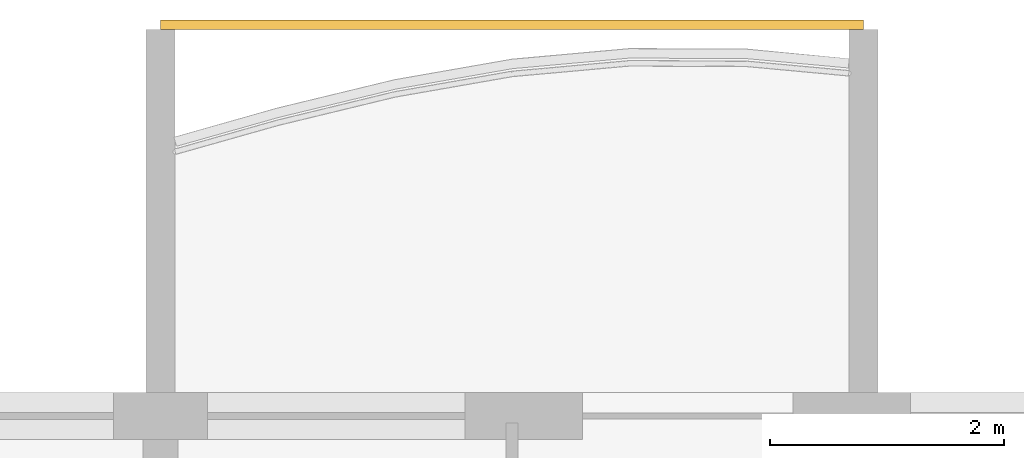
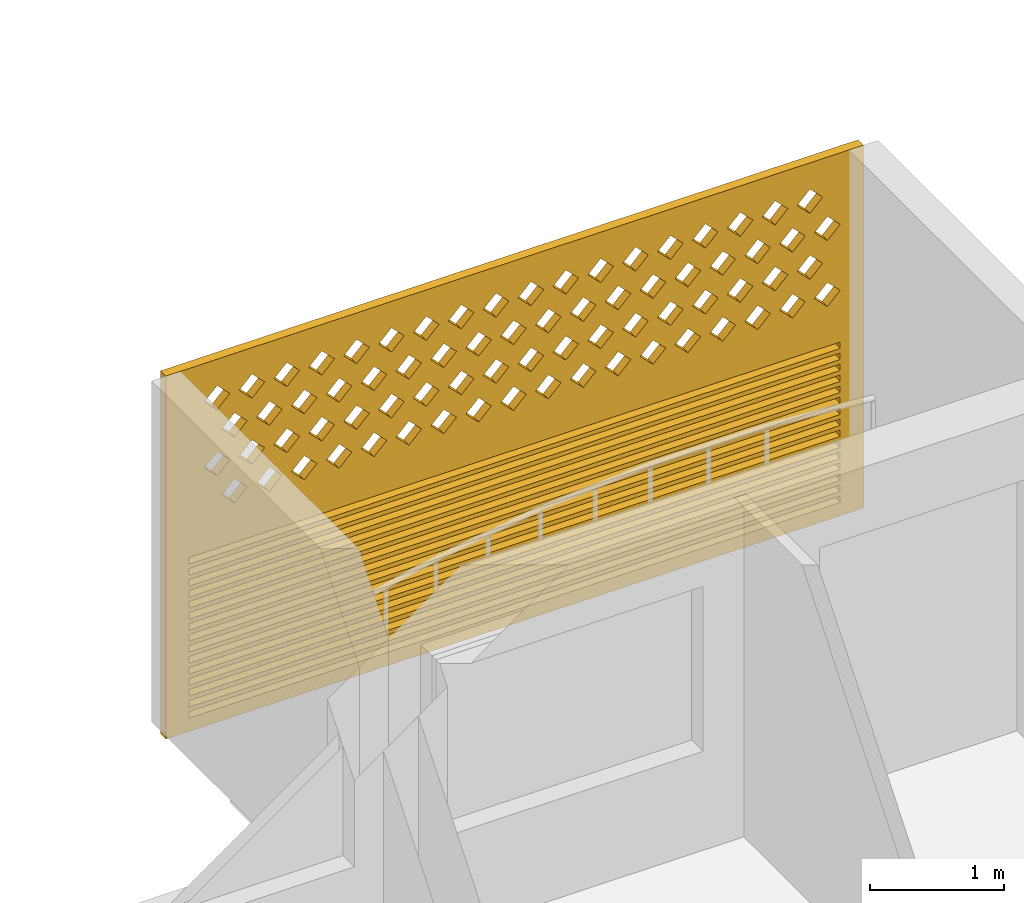
# One storey, part 28 of 32: 1 covering.
"""IFC4 building model written with IfcOpenShell, lengths in metres."""

from ifc_helpers import new_model, si_unit, direction, frame, origin, place, context, subcontext, project, spatial, polyline, outline, extrude, source, transform, mapped, material, material_profile, profile_set, type_object, element, save


model = new_model("IFC4")

# Units and contexts
model_context = context("Model", 3, precision=1e-05, world=origin(), true_north=direction((0.0, 1.0)))
body_context = subcontext(model_context, "Body", "Model", "MODEL_VIEW")
ifc_project = project(units=[si_unit("LENGTHUNIT", "METRE"), si_unit("AREAUNIT", "SQUARE_METRE"), si_unit("VOLUMEUNIT", "CUBIC_METRE"), si_unit("PLANEANGLEUNIT", "RADIAN"), si_unit("MASSUNIT", "GRAM", prefix="KILO")], contexts=[model_context])

# Site, building, storey
site_placement = place(None, origin())
site = spatial("IfcSite", under=ifc_project, at=site_placement, CompositionType="ELEMENT")
building_placement = place(site_placement, origin())
building = spatial("IfcBuilding", under=site, at=building_placement, Name="Poui Terraces", CompositionType="ELEMENT")
storey_placement = place(building_placement, frame((0.0, 0.0, 155.39990234375)))
storey = spatial("IfcBuildingStorey", under=building, at=storey_placement, Name="L43", CompositionType="ELEMENT", Elevation=155.39990234375)

# Covering
ifc_material = material(Name="Terracotta screen", Category="masonry")
ifc_material_profile = material_profile(ifc_material, outline(polyline([(-3.0, -1.64990234375), (3.0, -1.64990234375), (3.0, 1.64990234375), (-3.0, 1.64990234375), (-3.0, -1.64990234375)]), holes=[polyline([(-2.800048828125, 0.39990234375), (-2.68994140625, 0.2900390625), (-2.580078125, 0.39990234375), (-2.68994140625, 0.510009765625), (-2.800048828125, 0.39990234375)]), polyline([(-2.5, 0.39990234375), (-2.389892578125, 0.2900390625), (-2.280029296875, 0.39990234375), (-2.389892578125, 0.510009765625), (-2.5, 0.39990234375)]), polyline([(-2.199951171875, 0.39990234375), (-2.090087890625, 0.2900390625), (-1.97998046875, 0.39990234375), (-2.090087890625, 0.510009765625), (-2.199951171875, 0.39990234375)]), polyline([(-1.89990234375, 0.39990234375), (-1.7900390625, 0.2900390625), (-1.679931640625, 0.39990234375), (-1.7900390625, 0.510009765625), (-1.89990234375, 0.39990234375)]), polyline([(-1.60009765625, 0.39990234375), (-1.489990234375, 0.2900390625), (-1.3798828125, 0.39990234375), (-1.489990234375, 0.510009765625), (-1.60009765625, 0.39990234375)]), polyline([(-1.300048828125, 0.39990234375), (-1.18994140625, 0.2900390625), (-1.080078125, 0.39990234375), (-1.18994140625, 0.510009765625), (-1.300048828125, 0.39990234375)]), polyline([(-1.0, 0.39990234375), (-0.889892578125, 0.2900390625), (-0.780029296875, 0.39990234375), (-0.889892578125, 0.510009765625), (-1.0, 0.39990234375)]), polyline([(-0.699951171875, 0.39990234375), (-0.590087890625, 0.2900390625), (-0.47998046875, 0.39990234375), (-0.590087890625, 0.510009765625), (-0.699951171875, 0.39990234375)]), polyline([(-0.39990234375, 0.39990234375), (-0.2900390625, 0.2900390625), (-0.179931640625, 0.39990234375), (-0.2900390625, 0.510009765625), (-0.39990234375, 0.39990234375)]), polyline([(-0.10009765625, 0.39990234375), (0.010009765625, 0.2900390625), (0.1201171875, 0.39990234375), (0.010009765625, 0.510009765625), (-0.10009765625, 0.39990234375)]), polyline([(0.199951171875, 0.39990234375), (0.31005859375, 0.2900390625), (0.419921875, 0.39990234375), (0.31005859375, 0.510009765625), (0.199951171875, 0.39990234375)]), polyline([(0.5, 0.39990234375), (0.610107421875, 0.2900390625), (0.719970703125, 0.39990234375), (0.610107421875, 0.510009765625), (0.5, 0.39990234375)]), polyline([(0.800048828125, 0.39990234375), (0.909912109375, 0.2900390625), (1.02001953125, 0.39990234375), (0.909912109375, 0.510009765625), (0.800048828125, 0.39990234375)]), polyline([(1.10009765625, 0.39990234375), (1.2099609375, 0.2900390625), (1.320068359375, 0.39990234375), (1.2099609375, 0.510009765625), (1.10009765625, 0.39990234375)]), polyline([(1.39990234375, 0.39990234375), (1.510009765625, 0.2900390625), (1.6201171875, 0.39990234375), (1.510009765625, 0.510009765625), (1.39990234375, 0.39990234375)]), polyline([(1.699951171875, 0.39990234375), (1.81005859375, 0.2900390625), (1.919921875, 0.39990234375), (1.81005859375, 0.510009765625), (1.699951171875, 0.39990234375)]), polyline([(2.0, 0.39990234375), (2.110107421875, 0.2900390625), (2.219970703125, 0.39990234375), (2.110107421875, 0.510009765625), (2.0, 0.39990234375)]), polyline([(2.300048828125, 0.39990234375), (2.409912109375, 0.2900390625), (2.52001953125, 0.39990234375), (2.409912109375, 0.510009765625), (2.300048828125, 0.39990234375)]), polyline([(-2.64990234375, 0.699951171875), (-2.5400390625, 0.590087890625), (-2.429931640625, 0.699951171875), (-2.5400390625, 0.81005859375), (-2.64990234375, 0.699951171875)]), polyline([(-2.35009765625, 0.699951171875), (-2.239990234375, 0.590087890625), (-2.1298828125, 0.699951171875), (-2.239990234375, 0.81005859375), (-2.35009765625, 0.699951171875)]), polyline([(-2.050048828125, 0.699951171875), (-1.93994140625, 0.590087890625), (-1.830078125, 0.699951171875), (-1.93994140625, 0.81005859375), (-2.050048828125, 0.699951171875)]), polyline([(-1.75, 0.699951171875), (-1.639892578125, 0.590087890625), (-1.530029296875, 0.699951171875), (-1.639892578125, 0.81005859375), (-1.75, 0.699951171875)]), polyline([(-1.449951171875, 0.699951171875), (-1.340087890625, 0.590087890625), (-1.22998046875, 0.699951171875), (-1.340087890625, 0.81005859375), (-1.449951171875, 0.699951171875)]), polyline([(-1.14990234375, 0.699951171875), (-1.0400390625, 0.590087890625), (-0.929931640625, 0.699951171875), (-1.0400390625, 0.81005859375), (-1.14990234375, 0.699951171875)]), polyline([(-0.85009765625, 0.699951171875), (-0.739990234375, 0.590087890625), (-0.6298828125, 0.699951171875), (-0.739990234375, 0.81005859375), (-0.85009765625, 0.699951171875)]), polyline([(-0.550048828125, 0.699951171875), (-0.43994140625, 0.590087890625), (-0.330078125, 0.699951171875), (-0.43994140625, 0.81005859375), (-0.550048828125, 0.699951171875)]), polyline([(-0.25, 0.699951171875), (-0.139892578125, 0.590087890625), (-0.030029296875, 0.699951171875), (-0.139892578125, 0.81005859375), (-0.25, 0.699951171875)]), polyline([(0.050048828125, 0.699951171875), (0.159912109375, 0.590087890625), (0.27001953125, 0.699951171875), (0.159912109375, 0.81005859375), (0.050048828125, 0.699951171875)]), polyline([(0.35009765625, 0.699951171875), (0.4599609375, 0.590087890625), (0.570068359375, 0.699951171875), (0.4599609375, 0.81005859375), (0.35009765625, 0.699951171875)]), polyline([(0.64990234375, 0.699951171875), (0.760009765625, 0.590087890625), (0.8701171875, 0.699951171875), (0.760009765625, 0.81005859375), (0.64990234375, 0.699951171875)]), polyline([(0.949951171875, 0.699951171875), (1.06005859375, 0.590087890625), (1.169921875, 0.699951171875), (1.06005859375, 0.81005859375), (0.949951171875, 0.699951171875)]), polyline([(1.25, 0.699951171875), (1.360107421875, 0.590087890625), (1.469970703125, 0.699951171875), (1.360107421875, 0.81005859375), (1.25, 0.699951171875)]), polyline([(1.550048828125, 0.699951171875), (1.659912109375, 0.590087890625), (1.77001953125, 0.699951171875), (1.659912109375, 0.81005859375), (1.550048828125, 0.699951171875)]), polyline([(1.85009765625, 0.699951171875), (1.9599609375, 0.590087890625), (2.070068359375, 0.699951171875), (1.9599609375, 0.81005859375), (1.85009765625, 0.699951171875)]), polyline([(2.14990234375, 0.699951171875), (2.260009765625, 0.590087890625), (2.3701171875, 0.699951171875), (2.260009765625, 0.81005859375), (2.14990234375, 0.699951171875)]), polyline([(2.449951171875, 0.699951171875), (2.56005859375, 0.590087890625), (2.669921875, 0.699951171875), (2.56005859375, 0.81005859375), (2.449951171875, 0.699951171875)]), polyline([(-2.800048828125, 1.0), (-2.68994140625, 0.889892578125), (-2.580078125, 1.0), (-2.68994140625, 1.110107421875), (-2.800048828125, 1.0)]), polyline([(-2.5, 1.0), (-2.389892578125, 0.889892578125), (-2.280029296875, 1.0), (-2.389892578125, 1.110107421875), (-2.5, 1.0)]), polyline([(-2.199951171875, 1.0), (-2.090087890625, 0.889892578125), (-1.97998046875, 1.0), (-2.090087890625, 1.110107421875), (-2.199951171875, 1.0)]), polyline([(-1.89990234375, 1.0), (-1.7900390625, 0.889892578125), (-1.679931640625, 1.0), (-1.7900390625, 1.110107421875), (-1.89990234375, 1.0)]), polyline([(-1.60009765625, 1.0), (-1.489990234375, 0.889892578125), (-1.3798828125, 1.0), (-1.489990234375, 1.110107421875), (-1.60009765625, 1.0)]), polyline([(-1.300048828125, 1.0), (-1.18994140625, 0.889892578125), (-1.080078125, 1.0), (-1.18994140625, 1.110107421875), (-1.300048828125, 1.0)]), polyline([(-1.0, 1.0), (-0.889892578125, 0.889892578125), (-0.780029296875, 1.0), (-0.889892578125, 1.110107421875), (-1.0, 1.0)]), polyline([(-0.699951171875, 1.0), (-0.590087890625, 0.889892578125), (-0.47998046875, 1.0), (-0.590087890625, 1.110107421875), (-0.699951171875, 1.0)]), polyline([(-0.39990234375, 1.0), (-0.2900390625, 0.889892578125), (-0.179931640625, 1.0), (-0.2900390625, 1.110107421875), (-0.39990234375, 1.0)]), polyline([(-0.10009765625, 1.0), (0.010009765625, 0.889892578125), (0.1201171875, 1.0), (0.010009765625, 1.110107421875), (-0.10009765625, 1.0)]), polyline([(0.199951171875, 1.0), (0.31005859375, 0.889892578125), (0.419921875, 1.0), (0.31005859375, 1.110107421875), (0.199951171875, 1.0)]), polyline([(0.5, 1.0), (0.610107421875, 0.889892578125), (0.719970703125, 1.0), (0.610107421875, 1.110107421875), (0.5, 1.0)]), polyline([(0.800048828125, 1.0), (0.909912109375, 0.889892578125), (1.02001953125, 1.0), (0.909912109375, 1.110107421875), (0.800048828125, 1.0)]), polyline([(1.10009765625, 1.0), (1.2099609375, 0.889892578125), (1.320068359375, 1.0), (1.2099609375, 1.110107421875), (1.10009765625, 1.0)]), polyline([(1.39990234375, 1.0), (1.510009765625, 0.889892578125), (1.6201171875, 1.0), (1.510009765625, 1.110107421875), (1.39990234375, 1.0)]), polyline([(1.699951171875, 1.0), (1.81005859375, 0.889892578125), (1.919921875, 1.0), (1.81005859375, 1.110107421875), (1.699951171875, 1.0)]), polyline([(2.0, 1.0), (2.110107421875, 0.889892578125), (2.219970703125, 1.0), (2.110107421875, 1.110107421875), (2.0, 1.0)]), polyline([(2.300048828125, 1.0), (2.409912109375, 0.889892578125), (2.52001953125, 1.0), (2.409912109375, 1.110107421875), (2.300048828125, 1.0)]), polyline([(-2.64990234375, 1.300048828125), (-2.5400390625, 1.18994140625), (-2.429931640625, 1.300048828125), (-2.5400390625, 1.409912109375), (-2.64990234375, 1.300048828125)]), polyline([(-2.35009765625, 1.300048828125), (-2.239990234375, 1.18994140625), (-2.1298828125, 1.300048828125), (-2.239990234375, 1.409912109375), (-2.35009765625, 1.300048828125)]), polyline([(-2.050048828125, 1.300048828125), (-1.93994140625, 1.18994140625), (-1.830078125, 1.300048828125), (-1.93994140625, 1.409912109375), (-2.050048828125, 1.300048828125)]), polyline([(-1.75, 1.300048828125), (-1.639892578125, 1.18994140625), (-1.530029296875, 1.300048828125), (-1.639892578125, 1.409912109375), (-1.75, 1.300048828125)]), polyline([(-1.449951171875, 1.300048828125), (-1.340087890625, 1.18994140625), (-1.22998046875, 1.300048828125), (-1.340087890625, 1.409912109375), (-1.449951171875, 1.300048828125)]), polyline([(-1.14990234375, 1.300048828125), (-1.0400390625, 1.18994140625), (-0.929931640625, 1.300048828125), (-1.0400390625, 1.409912109375), (-1.14990234375, 1.300048828125)]), polyline([(-0.85009765625, 1.300048828125), (-0.739990234375, 1.18994140625), (-0.6298828125, 1.300048828125), (-0.739990234375, 1.409912109375), (-0.85009765625, 1.300048828125)]), polyline([(-0.550048828125, 1.300048828125), (-0.43994140625, 1.18994140625), (-0.330078125, 1.300048828125), (-0.43994140625, 1.409912109375), (-0.550048828125, 1.300048828125)]), polyline([(-0.25, 1.300048828125), (-0.139892578125, 1.18994140625), (-0.030029296875, 1.300048828125), (-0.139892578125, 1.409912109375), (-0.25, 1.300048828125)]), polyline([(0.050048828125, 1.300048828125), (0.159912109375, 1.18994140625), (0.27001953125, 1.300048828125), (0.159912109375, 1.409912109375), (0.050048828125, 1.300048828125)]), polyline([(0.35009765625, 1.300048828125), (0.4599609375, 1.18994140625), (0.570068359375, 1.300048828125), (0.4599609375, 1.409912109375), (0.35009765625, 1.300048828125)]), polyline([(0.64990234375, 1.300048828125), (0.760009765625, 1.18994140625), (0.8701171875, 1.300048828125), (0.760009765625, 1.409912109375), (0.64990234375, 1.300048828125)]), polyline([(0.949951171875, 1.300048828125), (1.06005859375, 1.18994140625), (1.169921875, 1.300048828125), (1.06005859375, 1.409912109375), (0.949951171875, 1.300048828125)]), polyline([(1.25, 1.300048828125), (1.360107421875, 1.18994140625), (1.469970703125, 1.300048828125), (1.360107421875, 1.409912109375), (1.25, 1.300048828125)]), polyline([(1.550048828125, 1.300048828125), (1.659912109375, 1.18994140625), (1.77001953125, 1.300048828125), (1.659912109375, 1.409912109375), (1.550048828125, 1.300048828125)]), polyline([(1.85009765625, 1.300048828125), (1.9599609375, 1.18994140625), (2.070068359375, 1.300048828125), (1.9599609375, 1.409912109375), (1.85009765625, 1.300048828125)]), polyline([(2.14990234375, 1.300048828125), (2.260009765625, 1.18994140625), (2.3701171875, 1.300048828125), (2.260009765625, 1.409912109375), (2.14990234375, 1.300048828125)]), polyline([(2.449951171875, 1.300048828125), (2.56005859375, 1.18994140625), (2.669921875, 1.300048828125), (2.56005859375, 1.409912109375), (2.449951171875, 1.300048828125)]), polyline([(-2.800048828125, -1.530029296875), (2.800048828125, -1.530029296875), (2.800048828125, -1.469970703125), (-2.800048828125, -1.469970703125), (-2.800048828125, -1.530029296875)]), polyline([(-2.800048828125, -1.429931640625), (2.800048828125, -1.429931640625), (2.800048828125, -1.3701171875), (-2.800048828125, -1.3701171875), (-2.800048828125, -1.429931640625)]), polyline([(-2.800048828125, -1.330078125), (2.800048828125, -1.330078125), (2.800048828125, -1.27001953125), (-2.800048828125, -1.27001953125), (-2.800048828125, -1.330078125)]), polyline([(-2.800048828125, -1.22998046875), (2.800048828125, -1.22998046875), (2.800048828125, -1.169921875), (-2.800048828125, -1.169921875), (-2.800048828125, -1.22998046875)]), polyline([(-2.800048828125, -1.1298828125), (2.800048828125, -1.1298828125), (2.800048828125, -1.070068359375), (-2.800048828125, -1.070068359375), (-2.800048828125, -1.1298828125)]), polyline([(-2.800048828125, -1.030029296875), (2.800048828125, -1.030029296875), (2.800048828125, -0.969970703125), (-2.800048828125, -0.969970703125), (-2.800048828125, -1.030029296875)]), polyline([(-2.800048828125, -0.929931640625), (2.800048828125, -0.929931640625), (2.800048828125, -0.8701171875), (-2.800048828125, -0.8701171875), (-2.800048828125, -0.929931640625)]), polyline([(-2.800048828125, -0.830078125), (2.800048828125, -0.830078125), (2.800048828125, -0.77001953125), (-2.800048828125, -0.77001953125), (-2.800048828125, -0.830078125)]), polyline([(-2.800048828125, -0.72998046875), (2.800048828125, -0.72998046875), (2.800048828125, -0.669921875), (-2.800048828125, -0.669921875), (-2.800048828125, -0.72998046875)]), polyline([(-2.800048828125, -0.6298828125), (2.800048828125, -0.6298828125), (2.800048828125, -0.570068359375), (-2.800048828125, -0.570068359375), (-2.800048828125, -0.6298828125)]), polyline([(-2.800048828125, -0.530029296875), (2.800048828125, -0.530029296875), (2.800048828125, -0.469970703125), (-2.800048828125, -0.469970703125), (-2.800048828125, -0.530029296875)]), polyline([(-2.800048828125, -0.429931640625), (2.800048828125, -0.429931640625), (2.800048828125, -0.3701171875), (-2.800048828125, -0.3701171875), (-2.800048828125, -0.429931640625)]), polyline([(-2.800048828125, -0.330078125), (2.800048828125, -0.330078125), (2.800048828125, -0.27001953125), (-2.800048828125, -0.27001953125), (-2.800048828125, -0.330078125)]), polyline([(-2.800048828125, -0.22998046875), (2.800048828125, -0.22998046875), (2.800048828125, -0.169921875), (-2.800048828125, -0.169921875), (-2.800048828125, -0.22998046875)]), polyline([(-2.800048828125, -0.1298828125), (2.800048828125, -0.1298828125), (2.800048828125, -0.070068359375), (-2.800048828125, -0.070068359375), (-2.800048828125, -0.1298828125)])]), Name="TERRACOTTA SCREEN AND JALOUSIE LOUVRE 6000X3300")
ifc_profile_set = profile_set([ifc_material_profile], Name="Terracotta screen")
covering_type = type_object("IfcCoveringType", Name="TERRACOTTA SCREEN AND JALOUSIE LOUVRE 6000X3300", PredefinedType="CLADDING", material=ifc_profile_set)
shared_shape = source(origin(), body_context, "Body", "SweptSolid", [
    extrude(outline(polyline([(-3.0, -1.64990234375), (3.0, -1.64990234375), (3.0, 1.64990234375), (-3.0, 1.64990234375), (-3.0, -1.64990234375)]), holes=[polyline([(-2.800048828125, 0.39990234375), (-2.68994140625, 0.2900390625), (-2.580078125, 0.39990234375), (-2.68994140625, 0.510009765625), (-2.800048828125, 0.39990234375)]), polyline([(-2.5, 0.39990234375), (-2.389892578125, 0.2900390625), (-2.280029296875, 0.39990234375), (-2.389892578125, 0.510009765625), (-2.5, 0.39990234375)]), polyline([(-2.199951171875, 0.39990234375), (-2.090087890625, 0.2900390625), (-1.97998046875, 0.39990234375), (-2.090087890625, 0.510009765625), (-2.199951171875, 0.39990234375)]), polyline([(-1.89990234375, 0.39990234375), (-1.7900390625, 0.2900390625), (-1.679931640625, 0.39990234375), (-1.7900390625, 0.510009765625), (-1.89990234375, 0.39990234375)]), polyline([(-1.60009765625, 0.39990234375), (-1.489990234375, 0.2900390625), (-1.3798828125, 0.39990234375), (-1.489990234375, 0.510009765625), (-1.60009765625, 0.39990234375)]), polyline([(-1.300048828125, 0.39990234375), (-1.18994140625, 0.2900390625), (-1.080078125, 0.39990234375), (-1.18994140625, 0.510009765625), (-1.300048828125, 0.39990234375)]), polyline([(-1.0, 0.39990234375), (-0.889892578125, 0.2900390625), (-0.780029296875, 0.39990234375), (-0.889892578125, 0.510009765625), (-1.0, 0.39990234375)]), polyline([(-0.699951171875, 0.39990234375), (-0.590087890625, 0.2900390625), (-0.47998046875, 0.39990234375), (-0.590087890625, 0.510009765625), (-0.699951171875, 0.39990234375)]), polyline([(-0.39990234375, 0.39990234375), (-0.2900390625, 0.2900390625), (-0.179931640625, 0.39990234375), (-0.2900390625, 0.510009765625), (-0.39990234375, 0.39990234375)]), polyline([(-0.10009765625, 0.39990234375), (0.010009765625, 0.2900390625), (0.1201171875, 0.39990234375), (0.010009765625, 0.510009765625), (-0.10009765625, 0.39990234375)]), polyline([(0.199951171875, 0.39990234375), (0.31005859375, 0.2900390625), (0.419921875, 0.39990234375), (0.31005859375, 0.510009765625), (0.199951171875, 0.39990234375)]), polyline([(0.5, 0.39990234375), (0.610107421875, 0.2900390625), (0.719970703125, 0.39990234375), (0.610107421875, 0.510009765625), (0.5, 0.39990234375)]), polyline([(0.800048828125, 0.39990234375), (0.909912109375, 0.2900390625), (1.02001953125, 0.39990234375), (0.909912109375, 0.510009765625), (0.800048828125, 0.39990234375)]), polyline([(1.10009765625, 0.39990234375), (1.2099609375, 0.2900390625), (1.320068359375, 0.39990234375), (1.2099609375, 0.510009765625), (1.10009765625, 0.39990234375)]), polyline([(1.39990234375, 0.39990234375), (1.510009765625, 0.2900390625), (1.6201171875, 0.39990234375), (1.510009765625, 0.510009765625), (1.39990234375, 0.39990234375)]), polyline([(1.699951171875, 0.39990234375), (1.81005859375, 0.2900390625), (1.919921875, 0.39990234375), (1.81005859375, 0.510009765625), (1.699951171875, 0.39990234375)]), polyline([(2.0, 0.39990234375), (2.110107421875, 0.2900390625), (2.219970703125, 0.39990234375), (2.110107421875, 0.510009765625), (2.0, 0.39990234375)]), polyline([(2.300048828125, 0.39990234375), (2.409912109375, 0.2900390625), (2.52001953125, 0.39990234375), (2.409912109375, 0.510009765625), (2.300048828125, 0.39990234375)]), polyline([(-2.64990234375, 0.699951171875), (-2.5400390625, 0.590087890625), (-2.429931640625, 0.699951171875), (-2.5400390625, 0.81005859375), (-2.64990234375, 0.699951171875)]), polyline([(-2.35009765625, 0.699951171875), (-2.239990234375, 0.590087890625), (-2.1298828125, 0.699951171875), (-2.239990234375, 0.81005859375), (-2.35009765625, 0.699951171875)]), polyline([(-2.050048828125, 0.699951171875), (-1.93994140625, 0.590087890625), (-1.830078125, 0.699951171875), (-1.93994140625, 0.81005859375), (-2.050048828125, 0.699951171875)]), polyline([(-1.75, 0.699951171875), (-1.639892578125, 0.590087890625), (-1.530029296875, 0.699951171875), (-1.639892578125, 0.81005859375), (-1.75, 0.699951171875)]), polyline([(-1.449951171875, 0.699951171875), (-1.340087890625, 0.590087890625), (-1.22998046875, 0.699951171875), (-1.340087890625, 0.81005859375), (-1.449951171875, 0.699951171875)]), polyline([(-1.14990234375, 0.699951171875), (-1.0400390625, 0.590087890625), (-0.929931640625, 0.699951171875), (-1.0400390625, 0.81005859375), (-1.14990234375, 0.699951171875)]), polyline([(-0.85009765625, 0.699951171875), (-0.739990234375, 0.590087890625), (-0.6298828125, 0.699951171875), (-0.739990234375, 0.81005859375), (-0.85009765625, 0.699951171875)]), polyline([(-0.550048828125, 0.699951171875), (-0.43994140625, 0.590087890625), (-0.330078125, 0.699951171875), (-0.43994140625, 0.81005859375), (-0.550048828125, 0.699951171875)]), polyline([(-0.25, 0.699951171875), (-0.139892578125, 0.590087890625), (-0.030029296875, 0.699951171875), (-0.139892578125, 0.81005859375), (-0.25, 0.699951171875)]), polyline([(0.050048828125, 0.699951171875), (0.159912109375, 0.590087890625), (0.27001953125, 0.699951171875), (0.159912109375, 0.81005859375), (0.050048828125, 0.699951171875)]), polyline([(0.35009765625, 0.699951171875), (0.4599609375, 0.590087890625), (0.570068359375, 0.699951171875), (0.4599609375, 0.81005859375), (0.35009765625, 0.699951171875)]), polyline([(0.64990234375, 0.699951171875), (0.760009765625, 0.590087890625), (0.8701171875, 0.699951171875), (0.760009765625, 0.81005859375), (0.64990234375, 0.699951171875)]), polyline([(0.949951171875, 0.699951171875), (1.06005859375, 0.590087890625), (1.169921875, 0.699951171875), (1.06005859375, 0.81005859375), (0.949951171875, 0.699951171875)]), polyline([(1.25, 0.699951171875), (1.360107421875, 0.590087890625), (1.469970703125, 0.699951171875), (1.360107421875, 0.81005859375), (1.25, 0.699951171875)]), polyline([(1.550048828125, 0.699951171875), (1.659912109375, 0.590087890625), (1.77001953125, 0.699951171875), (1.659912109375, 0.81005859375), (1.550048828125, 0.699951171875)]), polyline([(1.85009765625, 0.699951171875), (1.9599609375, 0.590087890625), (2.070068359375, 0.699951171875), (1.9599609375, 0.81005859375), (1.85009765625, 0.699951171875)]), polyline([(2.14990234375, 0.699951171875), (2.260009765625, 0.590087890625), (2.3701171875, 0.699951171875), (2.260009765625, 0.81005859375), (2.14990234375, 0.699951171875)]), polyline([(2.449951171875, 0.699951171875), (2.56005859375, 0.590087890625), (2.669921875, 0.699951171875), (2.56005859375, 0.81005859375), (2.449951171875, 0.699951171875)]), polyline([(-2.800048828125, 1.0), (-2.68994140625, 0.889892578125), (-2.580078125, 1.0), (-2.68994140625, 1.110107421875), (-2.800048828125, 1.0)]), polyline([(-2.5, 1.0), (-2.389892578125, 0.889892578125), (-2.280029296875, 1.0), (-2.389892578125, 1.110107421875), (-2.5, 1.0)]), polyline([(-2.199951171875, 1.0), (-2.090087890625, 0.889892578125), (-1.97998046875, 1.0), (-2.090087890625, 1.110107421875), (-2.199951171875, 1.0)]), polyline([(-1.89990234375, 1.0), (-1.7900390625, 0.889892578125), (-1.679931640625, 1.0), (-1.7900390625, 1.110107421875), (-1.89990234375, 1.0)]), polyline([(-1.60009765625, 1.0), (-1.489990234375, 0.889892578125), (-1.3798828125, 1.0), (-1.489990234375, 1.110107421875), (-1.60009765625, 1.0)]), polyline([(-1.300048828125, 1.0), (-1.18994140625, 0.889892578125), (-1.080078125, 1.0), (-1.18994140625, 1.110107421875), (-1.300048828125, 1.0)]), polyline([(-1.0, 1.0), (-0.889892578125, 0.889892578125), (-0.780029296875, 1.0), (-0.889892578125, 1.110107421875), (-1.0, 1.0)]), polyline([(-0.699951171875, 1.0), (-0.590087890625, 0.889892578125), (-0.47998046875, 1.0), (-0.590087890625, 1.110107421875), (-0.699951171875, 1.0)]), polyline([(-0.39990234375, 1.0), (-0.2900390625, 0.889892578125), (-0.179931640625, 1.0), (-0.2900390625, 1.110107421875), (-0.39990234375, 1.0)]), polyline([(-0.10009765625, 1.0), (0.010009765625, 0.889892578125), (0.1201171875, 1.0), (0.010009765625, 1.110107421875), (-0.10009765625, 1.0)]), polyline([(0.199951171875, 1.0), (0.31005859375, 0.889892578125), (0.419921875, 1.0), (0.31005859375, 1.110107421875), (0.199951171875, 1.0)]), polyline([(0.5, 1.0), (0.610107421875, 0.889892578125), (0.719970703125, 1.0), (0.610107421875, 1.110107421875), (0.5, 1.0)]), polyline([(0.800048828125, 1.0), (0.909912109375, 0.889892578125), (1.02001953125, 1.0), (0.909912109375, 1.110107421875), (0.800048828125, 1.0)]), polyline([(1.10009765625, 1.0), (1.2099609375, 0.889892578125), (1.320068359375, 1.0), (1.2099609375, 1.110107421875), (1.10009765625, 1.0)]), polyline([(1.39990234375, 1.0), (1.510009765625, 0.889892578125), (1.6201171875, 1.0), (1.510009765625, 1.110107421875), (1.39990234375, 1.0)]), polyline([(1.699951171875, 1.0), (1.81005859375, 0.889892578125), (1.919921875, 1.0), (1.81005859375, 1.110107421875), (1.699951171875, 1.0)]), polyline([(2.0, 1.0), (2.110107421875, 0.889892578125), (2.219970703125, 1.0), (2.110107421875, 1.110107421875), (2.0, 1.0)]), polyline([(2.300048828125, 1.0), (2.409912109375, 0.889892578125), (2.52001953125, 1.0), (2.409912109375, 1.110107421875), (2.300048828125, 1.0)]), polyline([(-2.64990234375, 1.300048828125), (-2.5400390625, 1.18994140625), (-2.429931640625, 1.300048828125), (-2.5400390625, 1.409912109375), (-2.64990234375, 1.300048828125)]), polyline([(-2.35009765625, 1.300048828125), (-2.239990234375, 1.18994140625), (-2.1298828125, 1.300048828125), (-2.239990234375, 1.409912109375), (-2.35009765625, 1.300048828125)]), polyline([(-2.050048828125, 1.300048828125), (-1.93994140625, 1.18994140625), (-1.830078125, 1.300048828125), (-1.93994140625, 1.409912109375), (-2.050048828125, 1.300048828125)]), polyline([(-1.75, 1.300048828125), (-1.639892578125, 1.18994140625), (-1.530029296875, 1.300048828125), (-1.639892578125, 1.409912109375), (-1.75, 1.300048828125)]), polyline([(-1.449951171875, 1.300048828125), (-1.340087890625, 1.18994140625), (-1.22998046875, 1.300048828125), (-1.340087890625, 1.409912109375), (-1.449951171875, 1.300048828125)]), polyline([(-1.14990234375, 1.300048828125), (-1.0400390625, 1.18994140625), (-0.929931640625, 1.300048828125), (-1.0400390625, 1.409912109375), (-1.14990234375, 1.300048828125)]), polyline([(-0.85009765625, 1.300048828125), (-0.739990234375, 1.18994140625), (-0.6298828125, 1.300048828125), (-0.739990234375, 1.409912109375), (-0.85009765625, 1.300048828125)]), polyline([(-0.550048828125, 1.300048828125), (-0.43994140625, 1.18994140625), (-0.330078125, 1.300048828125), (-0.43994140625, 1.409912109375), (-0.550048828125, 1.300048828125)]), polyline([(-0.25, 1.300048828125), (-0.139892578125, 1.18994140625), (-0.030029296875, 1.300048828125), (-0.139892578125, 1.409912109375), (-0.25, 1.300048828125)]), polyline([(0.050048828125, 1.300048828125), (0.159912109375, 1.18994140625), (0.27001953125, 1.300048828125), (0.159912109375, 1.409912109375), (0.050048828125, 1.300048828125)]), polyline([(0.35009765625, 1.300048828125), (0.4599609375, 1.18994140625), (0.570068359375, 1.300048828125), (0.4599609375, 1.409912109375), (0.35009765625, 1.300048828125)]), polyline([(0.64990234375, 1.300048828125), (0.760009765625, 1.18994140625), (0.8701171875, 1.300048828125), (0.760009765625, 1.409912109375), (0.64990234375, 1.300048828125)]), polyline([(0.949951171875, 1.300048828125), (1.06005859375, 1.18994140625), (1.169921875, 1.300048828125), (1.06005859375, 1.409912109375), (0.949951171875, 1.300048828125)]), polyline([(1.25, 1.300048828125), (1.360107421875, 1.18994140625), (1.469970703125, 1.300048828125), (1.360107421875, 1.409912109375), (1.25, 1.300048828125)]), polyline([(1.550048828125, 1.300048828125), (1.659912109375, 1.18994140625), (1.77001953125, 1.300048828125), (1.659912109375, 1.409912109375), (1.550048828125, 1.300048828125)]), polyline([(1.85009765625, 1.300048828125), (1.9599609375, 1.18994140625), (2.070068359375, 1.300048828125), (1.9599609375, 1.409912109375), (1.85009765625, 1.300048828125)]), polyline([(2.14990234375, 1.300048828125), (2.260009765625, 1.18994140625), (2.3701171875, 1.300048828125), (2.260009765625, 1.409912109375), (2.14990234375, 1.300048828125)]), polyline([(2.449951171875, 1.300048828125), (2.56005859375, 1.18994140625), (2.669921875, 1.300048828125), (2.56005859375, 1.409912109375), (2.449951171875, 1.300048828125)]), polyline([(-2.800048828125, -1.530029296875), (2.800048828125, -1.530029296875), (2.800048828125, -1.469970703125), (-2.800048828125, -1.469970703125), (-2.800048828125, -1.530029296875)]), polyline([(-2.800048828125, -1.429931640625), (2.800048828125, -1.429931640625), (2.800048828125, -1.3701171875), (-2.800048828125, -1.3701171875), (-2.800048828125, -1.429931640625)]), polyline([(-2.800048828125, -1.330078125), (2.800048828125, -1.330078125), (2.800048828125, -1.27001953125), (-2.800048828125, -1.27001953125), (-2.800048828125, -1.330078125)]), polyline([(-2.800048828125, -1.22998046875), (2.800048828125, -1.22998046875), (2.800048828125, -1.169921875), (-2.800048828125, -1.169921875), (-2.800048828125, -1.22998046875)]), polyline([(-2.800048828125, -1.1298828125), (2.800048828125, -1.1298828125), (2.800048828125, -1.070068359375), (-2.800048828125, -1.070068359375), (-2.800048828125, -1.1298828125)]), polyline([(-2.800048828125, -1.030029296875), (2.800048828125, -1.030029296875), (2.800048828125, -0.969970703125), (-2.800048828125, -0.969970703125), (-2.800048828125, -1.030029296875)]), polyline([(-2.800048828125, -0.929931640625), (2.800048828125, -0.929931640625), (2.800048828125, -0.8701171875), (-2.800048828125, -0.8701171875), (-2.800048828125, -0.929931640625)]), polyline([(-2.800048828125, -0.830078125), (2.800048828125, -0.830078125), (2.800048828125, -0.77001953125), (-2.800048828125, -0.77001953125), (-2.800048828125, -0.830078125)]), polyline([(-2.800048828125, -0.72998046875), (2.800048828125, -0.72998046875), (2.800048828125, -0.669921875), (-2.800048828125, -0.669921875), (-2.800048828125, -0.72998046875)]), polyline([(-2.800048828125, -0.6298828125), (2.800048828125, -0.6298828125), (2.800048828125, -0.570068359375), (-2.800048828125, -0.570068359375), (-2.800048828125, -0.6298828125)]), polyline([(-2.800048828125, -0.530029296875), (2.800048828125, -0.530029296875), (2.800048828125, -0.469970703125), (-2.800048828125, -0.469970703125), (-2.800048828125, -0.530029296875)]), polyline([(-2.800048828125, -0.429931640625), (2.800048828125, -0.429931640625), (2.800048828125, -0.3701171875), (-2.800048828125, -0.3701171875), (-2.800048828125, -0.429931640625)]), polyline([(-2.800048828125, -0.330078125), (2.800048828125, -0.330078125), (2.800048828125, -0.27001953125), (-2.800048828125, -0.27001953125), (-2.800048828125, -0.330078125)]), polyline([(-2.800048828125, -0.22998046875), (2.800048828125, -0.22998046875), (2.800048828125, -0.169921875), (-2.800048828125, -0.169921875), (-2.800048828125, -0.22998046875)]), polyline([(-2.800048828125, -0.1298828125), (2.800048828125, -0.1298828125), (2.800048828125, -0.070068359375), (-2.800048828125, -0.070068359375), (-2.800048828125, -0.1298828125)])]), origin(), (0.0, 0.0, 1.0), 0.080078125),
])
covering_placement = place(storey_placement, frame((63.0, 45.699951171875, 1.4501953125), z_axis=(0.0, 1.0, 0.0), x_axis=(-1.0, 0.0, 0.0)))
element("IfcCovering", 1, at=covering_placement, inside=storey, type_object=covering_type, Name="SOLAR SCREEN AND JALOUSIE LOUVRE", PredefinedType="CLADDING", context=body_context, shape_type="MappedRepresentation", body=[
    mapped(shared_shape, transform((0.0, 0.0, 0.0))),
])

save(model, "model.ifc")
